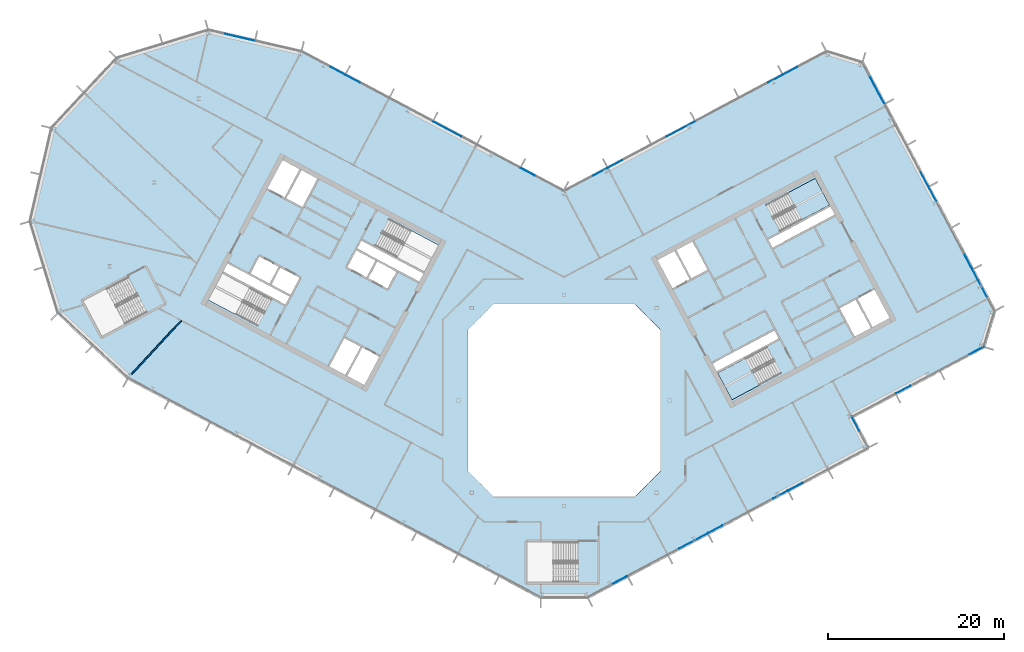
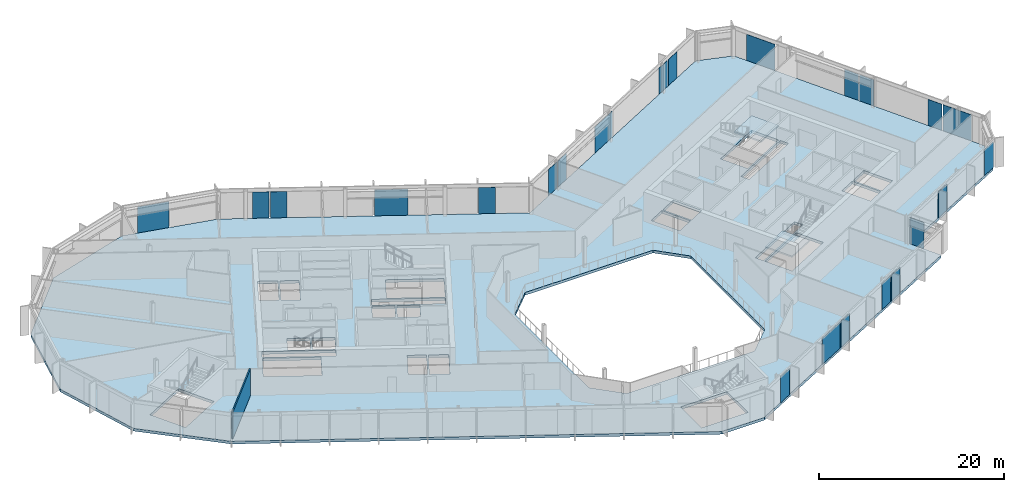
# One storey, part 12 of 27: 23 plates, 3 slabs, 1 wall, 9 elements without a shape of their own.
"""IFC4 building model written with IfcOpenShell, lengths in metres."""

from ifc_helpers import new_model, si_unit, direction, frame, frame_2d, origin, origin_2d, place, context, subcontext, project, spatial, polyline, rectangle, outline, extrude, material, layer, layer_set, type_object, element, aggregate, save


model = new_model("IFC4")

# Units and contexts
model_context = context("Model", 3, precision=1e-05, world=origin(), true_north=direction((0.0, 1.0)))
body_context = subcontext(model_context, "Body", "Model", "MODEL_VIEW")
ifc_project = project(units=[si_unit("LENGTHUNIT", "METRE"), si_unit("AREAUNIT", "SQUARE_METRE"), si_unit("VOLUMEUNIT", "CUBIC_METRE"), si_unit("PLANEANGLEUNIT", "RADIAN"), si_unit("MASSUNIT", "GRAM", prefix="KILO")], contexts=[model_context])

# Site, building, storey
site_placement = place(None, origin())
site = spatial("IfcSite", under=ifc_project, at=site_placement, CompositionType="ELEMENT")
building_placement = place(site_placement, origin())
building = spatial("IfcBuilding", under=site, at=building_placement, Name="Cormorant Relay Tower", CompositionType="ELEMENT")
storey_placement = place(building_placement, frame((0.0, 0.0, 201.300048828125)))
storey = spatial("IfcBuildingStorey", under=building, at=storey_placement, Name="L43", CompositionType="ELEMENT", Elevation=201.300048828125)

# Curtain wall, plates
ifc_material_1 = material(Name="Aluminium 6063-T6 anodised bronze", Category="aluminium")
ifc_layer_1 = layer(ifc_material_1, 0.199951171875)
ifc_layer_set_1 = layer_set([ifc_layer_1], Name="CW1 unitised bronze curtain wall with vertical fins")
curtain_wall_type = type_object("IfcCurtainWallType", Name="CW1 unitised bronze curtain wall with vertical fins", PredefinedType="NOTDEFINED", material=ifc_layer_set_1)
curtain_wall_1_placement = place(storey_placement, origin())
curtain_wall_1 = element("IfcCurtainWall", 1, at=curtain_wall_1_placement, inside=storey, type_object=curtain_wall_type, Name="CW1 curtain wall 2", PredefinedType="NOTDEFINED")
ifc_material_2 = material(Name="Tinted laminated glass", Category="glass")
ifc_layer_2 = layer(ifc_material_2, 0.0400390625)
ifc_layer_set_2 = layer_set([ifc_layer_2], Name="CW1 tinted vision panel 1800 module")
plate_type_1 = type_object("IfcPlateType", Name="CW1 tinted vision panel 1800 module", PredefinedType="CURTAIN_PANEL", material=ifc_layer_set_2)
plate_1_placement = place(storey_placement, frame((6.359130859375, -20.42529296875, 0.0), z_axis=(0.0, 0.0, 1.0), x_axis=(0.882947592859, 0.469471562786, 0.0)))
plate_1 = element("IfcPlate", 2, at=plate_1_placement, type_object=plate_type_1, Name="CW1 panel V01", PredefinedType="CURTAIN_PANEL", context=body_context, shape_type="SweptSolid", body=[
    extrude(rectangle(XDim=1.800048828125, YDim=0.0400390625, at=origin_2d()), origin(), (0.0, 0.0, 1.0), 3.449951171875),
])
plate_2_placement = place(storey_placement, frame((17.20458984375, -14.65869140625, 0.0), z_axis=(0.0, 0.0, 1.0), x_axis=(0.882947592859, 0.469471562786, 0.0)))
plate_2 = element("IfcPlate", 3, at=plate_2_placement, type_object=plate_type_1, Name="CW1 panel V04", PredefinedType="CURTAIN_PANEL", context=body_context, shape_type="SweptSolid", body=[
    extrude(rectangle(XDim=1.800048828125, YDim=0.0400390625, at=origin_2d()), origin(), (0.0, 0.0, 1.0), 3.449951171875),
])
plate_3_placement = place(storey_placement, frame((24.6064453125, -10.72314453125, 0.0), z_axis=(0.0, 0.0, 1.0), x_axis=(0.882947592859, 0.469471562786, 0.0)))
plate_3 = element("IfcPlate", 4, at=plate_3_placement, type_object=plate_type_1, Name="CW1 panel V06", PredefinedType="CURTAIN_PANEL", context=body_context, shape_type="SweptSolid", body=[
    extrude(rectangle(XDim=1.800048828125, YDim=0.0400390625, at=origin_2d()), origin(), (0.0, 0.0, 1.0), 3.449951171875),
])
plate_4_placement = place(storey_placement, frame((26.328125, -9.8076171875, 0.0), z_axis=(0.0, 0.0, 1.0), x_axis=(0.882947592859, 0.469471562786, 0.0)))
plate_4 = element("IfcPlate", 5, at=plate_4_placement, type_object=plate_type_1, Name="CW1 panel V07", PredefinedType="CURTAIN_PANEL", context=body_context, shape_type="SweptSolid", body=[
    extrude(rectangle(XDim=1.800048828125, YDim=0.0400390625, at=origin_2d()), origin(), (0.0, 0.0, 1.0), 3.449951171875),
])

# Curtain wall, plate
curtain_wall_2_placement = place(storey_placement, origin())
curtain_wall_2 = element("IfcCurtainWall", 6, at=curtain_wall_2_placement, inside=storey, type_object=curtain_wall_type, Name="CW1 curtain wall 3", PredefinedType="NOTDEFINED")
plate_5_placement = place(storey_placement, frame((33.143798828125, -2.650146484375, 0.0), z_axis=(0.0, 0.0, 1.0), x_axis=(-0.469471562786, 0.882947592859, 0.0)))
plate_5 = element("IfcPlate", 7, at=plate_5_placement, type_object=plate_type_1, Name="CW1 panel V01", PredefinedType="CURTAIN_PANEL", context=body_context, shape_type="SweptSolid", body=[
    extrude(rectangle(XDim=1.800048828125, YDim=0.0400390625, at=origin_2d()), origin(), (0.0, 0.0, 1.0), 3.449951171875),
])
aggregate(curtain_wall_2, [plate_5])

# Curtain wall, plates
curtain_wall_3_placement = place(storey_placement, origin())
curtain_wall_3 = element("IfcCurtainWall", 8, at=curtain_wall_3_placement, inside=storey, type_object=curtain_wall_type, Name="CW1 curtain wall 4", PredefinedType="NOTDEFINED")
plate_6_placement = place(storey_placement, frame((38.5771484375, 1.235595703125, 0.0), z_axis=(0.0, 0.0, 1.0), x_axis=(0.882947592859, 0.469471562786, 0.0)))
plate_6 = element("IfcPlate", 9, at=plate_6_placement, type_object=plate_type_1, Name="CW1 panel V01", PredefinedType="CURTAIN_PANEL", context=body_context, shape_type="SweptSolid", body=[
    extrude(rectangle(XDim=1.800048828125, YDim=0.0400390625, at=origin_2d()), origin(), (0.0, 0.0, 1.0), 3.449951171875),
])
plate_7_placement = place(storey_placement, frame((46.928466796875, 5.67578125, 0.0), z_axis=(0.0, 0.0, 1.0), x_axis=(0.882947592859, 0.469471562786, 0.0)))
plate_7 = element("IfcPlate", 10, at=plate_7_placement, type_object=plate_type_1, Name="CW1 panel V03", PredefinedType="CURTAIN_PANEL", context=body_context, shape_type="SweptSolid", body=[
    extrude(rectangle(XDim=1.800048828125, YDim=0.0400390625, at=origin_2d()), origin(), (0.0, 0.0, 1.0), 3.449951171875),
])
aggregate(curtain_wall_3, [plate_6, plate_7])

curtain_wall_4_placement = place(storey_placement, origin())
curtain_wall_4 = element("IfcCurtainWall", 11, at=curtain_wall_4_placement, inside=storey, type_object=curtain_wall_type, Name="CW1 curtain wall 6", PredefinedType="NOTDEFINED")
plate_8_placement = place(storey_placement, frame((46.01025390625, 15.752685546875, 0.0), z_axis=(0.0, 0.0, 1.0), x_axis=(-0.469471562786, 0.882947592859, 0.0)))
plate_8 = element("IfcPlate", 12, at=plate_8_placement, type_object=plate_type_1, Name="CW1 panel V02", PredefinedType="CURTAIN_PANEL", context=body_context, shape_type="SweptSolid", body=[
    extrude(rectangle(XDim=1.800048828125, YDim=0.0400390625, at=origin_2d()), origin(), (0.0, 0.0, 1.0), 3.449951171875),
])
plate_9_placement = place(storey_placement, frame((41.91796875, 23.448974609375, 0.0), z_axis=(0.0, 0.0, 1.0), x_axis=(-0.469471562786, 0.882947592859, 0.0)))
plate_9 = element("IfcPlate", 13, at=plate_9_placement, type_object=plate_type_1, Name="CW1 panel V04", PredefinedType="CURTAIN_PANEL", context=body_context, shape_type="SweptSolid", body=[
    extrude(rectangle(XDim=1.800048828125, YDim=0.0400390625, at=origin_2d()), origin(), (0.0, 0.0, 1.0), 3.449951171875),
])
plate_10_placement = place(storey_placement, frame((41.00244140625, 25.1708984375, 0.0), z_axis=(0.0, 0.0, 1.0), x_axis=(-0.469471562786, 0.882947592859, 0.0)))
plate_10 = element("IfcPlate", 14, at=plate_10_placement, type_object=plate_type_1, Name="CW1 panel V05", PredefinedType="CURTAIN_PANEL", context=body_context, shape_type="SweptSolid", body=[
    extrude(rectangle(XDim=1.800048828125, YDim=0.0400390625, at=origin_2d()), origin(), (0.0, 0.0, 1.0), 3.449951171875),
])

curtain_wall_5_placement = place(storey_placement, origin())
curtain_wall_5 = element("IfcCurtainWall", 15, at=curtain_wall_5_placement, inside=storey, type_object=curtain_wall_type, Name="CW1 curtain wall 8", PredefinedType="NOTDEFINED")
plate_11_placement = place(storey_placement, frame((25.746337890625, 37.49609375, 0.0), z_axis=(0.0, 0.0, 1.0), x_axis=(-0.882947592859, -0.469471562786, 0.0)))
plate_11 = element("IfcPlate", 16, at=plate_11_placement, type_object=plate_type_1, Name="CW1 panel V01", PredefinedType="CURTAIN_PANEL", context=body_context, shape_type="SweptSolid", body=[
    extrude(rectangle(XDim=1.800048828125, YDim=0.0400390625, at=origin_2d()), origin(), (0.0, 0.0, 1.0), 3.449951171875),
])
plate_12_placement = place(storey_placement, frame((24.0244140625, 36.580810546875, 0.0), z_axis=(0.0, 0.0, 1.0), x_axis=(-0.882947592859, -0.469471562786, 0.0)))
plate_12 = element("IfcPlate", 17, at=plate_12_placement, type_object=plate_type_1, Name="CW1 panel V02", PredefinedType="CURTAIN_PANEL", context=body_context, shape_type="SweptSolid", body=[
    extrude(rectangle(XDim=1.800048828125, YDim=0.0400390625, at=origin_2d()), origin(), (0.0, 0.0, 1.0), 3.449951171875),
])
plate_13_placement = place(storey_placement, frame((5.830322265625, 26.90673828125, 0.0), z_axis=(0.0, 0.0, 1.0), x_axis=(-0.882947592859, -0.469471562786, 0.0)))
plate_13 = element("IfcPlate", 18, at=plate_13_placement, type_object=plate_type_1, Name="CW1 panel V06", PredefinedType="CURTAIN_PANEL", context=body_context, shape_type="SweptSolid", body=[
    extrude(rectangle(XDim=1.800048828125, YDim=0.0400390625, at=origin_2d()), origin(), (0.0, 0.0, 1.0), 3.449951171875),
])
plate_14_placement = place(storey_placement, frame((4.108642578125, 25.9912109375, 0.0), z_axis=(0.0, 0.0, 1.0), x_axis=(-0.882947592859, -0.469471562786, 0.0)))
plate_14 = element("IfcPlate", 19, at=plate_14_placement, type_object=plate_type_1, Name="CW1 panel V07", PredefinedType="CURTAIN_PANEL", context=body_context, shape_type="SweptSolid", body=[
    extrude(rectangle(XDim=1.800048828125, YDim=0.0400390625, at=origin_2d()), origin(), (0.0, 0.0, 1.0), 3.449951171875),
])

curtain_wall_6_placement = place(storey_placement, origin())
curtain_wall_6 = element("IfcCurtainWall", 20, at=curtain_wall_6_placement, inside=storey, type_object=curtain_wall_type, Name="CW1 curtain wall 9", PredefinedType="NOTDEFINED")
plate_15_placement = place(storey_placement, frame((-4.108642578125, 25.9912109375, 0.0), z_axis=(0.0, 0.0, 1.0), x_axis=(-0.882947592859, 0.469471562786, 0.0)))
plate_15 = element("IfcPlate", 21, at=plate_15_placement, type_object=plate_type_1, Name="CW1 panel V01", PredefinedType="CURTAIN_PANEL", context=body_context, shape_type="SweptSolid", body=[
    extrude(rectangle(XDim=1.800048828125, YDim=0.0400390625, at=origin_2d()), origin(), (0.0, 0.0, 1.0), 3.449951171875),
])
plate_16_placement = place(storey_placement, frame((-24.0244140625, 36.580810546875, 0.0), z_axis=(0.0, 0.0, 1.0), x_axis=(-0.882947592859, 0.469471562786, 0.0)))
plate_16 = element("IfcPlate", 22, at=plate_16_placement, type_object=plate_type_1, Name="CW1 panel V05", PredefinedType="CURTAIN_PANEL", context=body_context, shape_type="SweptSolid", body=[
    extrude(rectangle(XDim=1.800048828125, YDim=0.0400390625, at=origin_2d()), origin(), (0.0, 0.0, 1.0), 3.449951171875),
])
plate_17_placement = place(storey_placement, frame((-25.746337890625, 37.49609375, 0.0), z_axis=(0.0, 0.0, 1.0), x_axis=(-0.882947592859, 0.469471562786, 0.0)))
plate_17 = element("IfcPlate", 23, at=plate_17_placement, type_object=plate_type_1, Name="CW1 panel V06", PredefinedType="CURTAIN_PANEL", context=body_context, shape_type="SweptSolid", body=[
    extrude(rectangle(XDim=1.800048828125, YDim=0.0400390625, at=origin_2d()), origin(), (0.0, 0.0, 1.0), 3.449951171875),
])

# Plate
ifc_material_3 = material(Name="Tinted laminated glass", Category="glass")
ifc_layer_3 = layer(ifc_material_3, 0.0400390625)
ifc_layer_set_3 = layer_set([ifc_layer_3], Name="CW1 tinted vision panel 3600 module")
plate_type_2 = type_object("IfcPlateType", Name="CW1 tinted vision panel 3600 module", PredefinedType="CURTAIN_PANEL", material=ifc_layer_set_3)
plate_18_placement = place(storey_placement, frame((14.68798828125, -15.996826171875, 0.0), z_axis=(0.0, 0.0, 1.0), x_axis=(0.882947592859, 0.469471562786, 0.0)))
plate_18 = element("IfcPlate", 24, at=plate_18_placement, type_object=plate_type_2, Name="CW1 panel V03", PredefinedType="CURTAIN_PANEL", context=body_context, shape_type="SweptSolid", body=[
    extrude(rectangle(XDim=3.60009765625, YDim=0.0400390625, at=origin_2d()), origin(), (0.0, 0.0, 1.0), 3.449951171875),
])

aggregate(curtain_wall_1, [plate_1, plate_18, plate_2, plate_3, plate_4])

plate_19_placement = place(storey_placement, frame((47.34814453125, 13.236328125, 0.0), z_axis=(0.0, 0.0, 1.0), x_axis=(-0.469471562786, 0.882947592859, 0.0)))
plate_19 = element("IfcPlate", 25, at=plate_19_placement, type_object=plate_type_2, Name="CW1 panel V01", PredefinedType="CURTAIN_PANEL", context=body_context, shape_type="SweptSolid", body=[
    extrude(rectangle(XDim=3.60009765625, YDim=0.0400390625, at=origin_2d()), origin(), (0.0, 0.0, 1.0), 3.449951171875),
])

plate_20_placement = place(storey_placement, frame((35.572265625, 35.383544921875, 0.0), z_axis=(0.0, 0.0, 1.0), x_axis=(-0.469471562786, 0.882947592859, 0.0)))
plate_20 = element("IfcPlate", 26, at=plate_20_placement, type_object=plate_type_2, Name="CW1 panel V07", PredefinedType="CURTAIN_PANEL", context=body_context, shape_type="SweptSolid", body=[
    extrude(rectangle(XDim=3.60009765625, YDim=0.0400390625, at=origin_2d()), origin(), (0.0, 0.0, 1.0), 3.449951171875),
])

aggregate(curtain_wall_4, [plate_19, plate_8, plate_9, plate_10, plate_20])

plate_21_placement = place(storey_placement, frame((13.27197265625, 30.86328125, 0.0), z_axis=(0.0, 0.0, 1.0), x_axis=(-0.882947592859, -0.469471562786, 0.0)))
plate_21 = element("IfcPlate", 27, at=plate_21_placement, type_object=plate_type_2, Name="CW1 panel V04", PredefinedType="CURTAIN_PANEL", context=body_context, shape_type="SweptSolid", body=[
    extrude(rectangle(XDim=3.60009765625, YDim=0.0400390625, at=origin_2d()), origin(), (0.0, 0.0, 1.0), 3.449951171875),
])

aggregate(curtain_wall_5, [plate_11, plate_12, plate_21, plate_13, plate_14])

plate_22_placement = place(storey_placement, frame((-13.27197265625, 30.86328125, 0.0), z_axis=(0.0, 0.0, 1.0), x_axis=(-0.882947592859, 0.469471562786, 0.0)))
plate_22 = element("IfcPlate", 28, at=plate_22_placement, type_object=plate_type_2, Name="CW1 panel V03", PredefinedType="CURTAIN_PANEL", context=body_context, shape_type="SweptSolid", body=[
    extrude(rectangle(XDim=3.60009765625, YDim=0.0400390625, at=origin_2d()), origin(), (0.0, 0.0, 1.0), 3.449951171875),
])

aggregate(curtain_wall_6, [plate_15, plate_22, plate_16, plate_17])

# Curtain wall, plate
curtain_wall_7_placement = place(storey_placement, origin())
curtain_wall_7 = element("IfcCurtainWall", 29, at=curtain_wall_7_placement, inside=storey, type_object=curtain_wall_type, Name="CW1 curtain wall 10", PredefinedType="NOTDEFINED")
plate_23_placement = place(storey_placement, frame((-36.9921875, 41.33203125, 0.0), z_axis=(0.0, 0.0, 1.0), x_axis=(-0.974370064785, 0.224951054344, 0.0)))
plate_23 = element("IfcPlate", 30, at=plate_23_placement, type_object=plate_type_2, Name="CW1 panel V01", PredefinedType="CURTAIN_PANEL", context=body_context, shape_type="SweptSolid", body=[
    extrude(rectangle(XDim=3.60009765625, YDim=0.0400390625, at=origin_2d()), origin(), (0.0, 0.0, 1.0), 3.449951171875),
])
aggregate(curtain_wall_7, [plate_23])

# Stair, slab
ifc_material_4 = material(Name="Concrete 40 MPa", Category="concrete")
stair_type = type_object("IfcStairType", Name="Exit stair 1500", PredefinedType="HALF_TURN_STAIR", material=ifc_material_4)
stair_1_placement = place(storey_placement, origin())
stair_1 = element("IfcStair", 31, at=stair_1_placement, inside=storey, type_object=stair_type, Name="L43 Stair", PredefinedType="HALF_TURN_STAIR")
ifc_material_5 = material(Name="Concrete 40 MPa", Category="concrete")
ifc_layer_4 = layer(ifc_material_5, 0.199951171875)
ifc_layer_set_4 = layer_set([ifc_layer_4], Name="Exit stair landing 200")
slab_type_1 = type_object("IfcSlabType", Name="Exit stair landing 200", PredefinedType="LANDING", material=ifc_layer_set_4)
slab_1_placement = place(storey_placement, frame((0.0, 0.0, 1.75)))
slab_1 = element("IfcSlab", 32, at=slab_1_placement, type_object=slab_type_1, Name="B1 landing 1", PredefinedType="LANDING", context=body_context, shape_type="SweptSolid", body=[
    extrude(outline(polyline([(20.614990234375, 4.78857421875), (17.48046875, 3.1220703125), (19.10009765625, 0.075927734375), (22.234619140625, 1.742431640625), (20.614990234375, 4.78857421875)])), origin(), (0.0, 0.0, 1.0), 0.199951171875),
])
aggregate(stair_1, [slab_1])

stair_2_placement = place(storey_placement, origin())
stair_2 = element("IfcStair", 33, at=stair_2_placement, inside=storey, type_object=stair_type, Name="L43 Stair", PredefinedType="HALF_TURN_STAIR")
slab_2_placement = place(storey_placement, frame((0.0, 0.0, 1.75)))
slab_2 = element("IfcSlab", 34, at=slab_2_placement, type_object=slab_type_1, Name="B2 landing 1", PredefinedType="LANDING", context=body_context, shape_type="SweptSolid", body=[
    extrude(outline(polyline([(27.064208984375, 20.562744140625), (30.19873046875, 22.2294921875), (28.5791015625, 25.275634765625), (25.444580078125, 23.60888671875), (27.064208984375, 20.562744140625)])), origin(), (0.0, 0.0, 1.0), 0.199951171875),
])
aggregate(stair_2, [slab_2])

# Slab
ifc_material_6 = material(Name="Concrete 40 MPa", Category="concrete")
ifc_layer_5 = layer(ifc_material_6, 0.360107421875)
ifc_layer_set_5 = layer_set([ifc_layer_5], Name="Flat plate 360")
slab_type_2 = type_object("IfcSlabType", Name="Flat plate 360", PredefinedType="FLOOR", material=ifc_layer_set_5)
slab_3_placement = place(storey_placement, frame((0.0, 0.0, -0.360107421875)))
element("IfcSlab", 35, at=slab_3_placement, inside=storey, type_object=slab_type_2, Name="Floor slab L43", PredefinedType="FLOOR", context=body_context, shape_type="SweptSolid", body=[
    extrude(outline(polyline([(-60.7197265625, 20.393310546875), (-58.2744140625, 30.985107421875), (-50.86083984375, 38.935302734375), (-40.465576171875, 42.11328125), (-29.873779296875, 39.668212890625), (0.0, 23.783935546875), (29.873779296875, 39.668212890625), (33.930908203125, 38.427734375), (48.9541015625, 10.17333984375), (47.713623046875, 6.1162109375), (32.70361328125, -1.864990234375), (34.581298828125, -5.396728515625), (2.648681640625, -22.37548828125), (-2.648681640625, -22.37548828125), (-49.591552734375, 2.584228515625), (-57.541748046875, 9.997802734375), (-60.7197265625, 20.393310546875)]), holes=[polyline([(11.0, -8.0), (11.0, 8.0), (8.0, 11.0), (-8.0, 11.0), (-11.0, 8.0), (-11.0, -8.0), (-8.0, -11.0), (8.0, -11.0), (11.0, -8.0)]), polyline([(-22.95458984375, 6.03271484375), (-24.668212890625, 2.81005859375), (-22.725830078125, 1.777099609375), (-21.01220703125, 5.0), (-23.04296875, 6.07958984375), (-22.95458984375, 6.03271484375)]), polyline([(-24.985595703125, 7.112548828125), (-26.69921875, 3.889892578125), (-24.844970703125, 2.90380859375), (-23.13134765625, 6.126708984375), (-23.04296875, 6.07958984375), (-24.985595703125, 7.112548828125)]), polyline([(-54.69970703125, 11.330810546875), (-52.563720703125, 7.3134765625), (-47.442626953125, 10.036376953125), (-49.57861328125, 14.0537109375), (-54.69970703125, 11.330810546875)]), polyline([(-33.240966796875, 11.502197265625), (-38.847900390625, 14.483154296875), (-40.46728515625, 11.43701171875), (-34.860595703125, 8.455810546875), (-33.240966796875, 11.502197265625)]), polyline([(-38.260986328125, 15.5869140625), (-38.75390625, 14.659912109375), (-31.690185546875, 10.904052734375), (-31.197265625, 11.8310546875), (-38.260986328125, 15.5869140625)]), polyline([(-31.103515625, 12.0078125), (-30.070556640625, 13.9501953125), (-32.278076171875, 15.123779296875), (-33.310791015625, 13.181396484375), (-31.103515625, 12.0078125)]), polyline([(-19.048095703125, 14.658203125), (-21.25537109375, 15.831787109375), (-22.2880859375, 13.889404296875), (-20.080810546875, 12.7158203125), (-19.048095703125, 14.658203125)]), polyline([(-34.661865234375, 16.3916015625), (-35.69482421875, 14.448974609375), (-33.4873046875, 13.275390625), (-32.45458984375, 15.2177734375), (-34.661865234375, 16.3916015625)]), polyline([(-23.639404296875, 17.099609375), (-24.672119140625, 15.156982421875), (-22.46484375, 13.9833984375), (-21.431884765625, 15.92578125), (-23.639404296875, 17.099609375)]), polyline([(-31.611572265625, 22.980712890625), (-29.75732421875, 21.99462890625), (-28.043701171875, 25.217529296875), (-29.89794921875, 26.203369140625), (-31.611572265625, 22.980712890625)]), polyline([(-32.01708984375, 27.330078125), (-33.73046875, 24.107421875), (-31.7880859375, 23.074462890625), (-30.074462890625, 26.29736328125), (-32.01708984375, 27.330078125)]), polyline([(-4.199951171875, -16.125), (-4.199951171875, -20.675048828125), (1.60009765625, -20.675048828125), (1.60009765625, -16.125), (-4.199951171875, -16.125)]), polyline([(17.48046875, 3.1220703125), (19.10009765625, 0.07568359375), (24.706787109375, 3.056884765625), (23.087158203125, 6.10302734375), (17.48046875, 3.1220703125)]), polyline([(17.386474609375, 3.298583984375), (24.4501953125, 7.054443359375), (23.957275390625, 7.9814453125), (16.8935546875, 4.2255859375), (17.386474609375, 3.298583984375)]), polyline([(33.197021484375, 11.478515625), (31.3427734375, 10.49267578125), (33.056396484375, 7.27001953125), (34.910400390625, 8.255859375), (33.197021484375, 11.478515625)]), polyline([(33.37353515625, 11.572509765625), (35.087158203125, 8.349609375), (37.029541015625, 9.382568359375), (35.31591796875, 12.605224609375), (33.37353515625, 11.572509765625)]), polyline([(14.3056640625, 13.779052734375), (12.592041015625, 17.001708984375), (10.649658203125, 15.968994140625), (12.36328125, 12.74609375), (14.39404296875, 13.825927734375), (14.3056640625, 13.779052734375)]), polyline([(16.33642578125, 14.85888671875), (14.622802734375, 18.08154296875), (12.768798828125, 17.095703125), (14.482421875, 13.872802734375), (14.39404296875, 13.825927734375), (16.33642578125, 14.85888671875)]), polyline([(-16.481689453125, 13.520263671875), (-15.989013671875, 14.447509765625), (-23.052490234375, 18.203125), (-23.54541015625, 17.276123046875), (-16.481689453125, 13.520263671875)]), polyline([(-15.89501953125, 14.6240234375), (-14.275390625, 17.670166015625), (-19.882080078125, 20.6513671875), (-21.501708984375, 17.605224609375), (-15.89501953125, 14.6240234375)]), polyline([(30.78564453125, 21.125732421875), (30.29248046875, 22.052978515625), (23.22900390625, 18.297119140625), (23.721923828125, 17.3701171875), (30.78564453125, 21.125732421875)]), polyline([(24.592041015625, 19.248291015625), (30.19873046875, 22.2294921875), (28.5791015625, 25.275634765625), (22.972412109375, 22.29443359375), (24.592041015625, 19.248291015625)])]), origin(), (0.0, 0.0, 1.0), 0.360107421875),
])

# Wall
ifc_material_7 = material(Name="Gypsum board partition")
ifc_layer_6 = layer(ifc_material_7, 0.14990234375)
ifc_layer_set_6 = layer_set([ifc_layer_6], Name="Tenant partition 150")
wall_type = type_object("IfcWallType", Name="Tenant partition 150", PredefinedType="PARTITIONING", material=ifc_layer_set_6)
wall_placement = place(storey_placement, frame((-43.51904296875, 9.095947265625, 0.0), z_axis=(0.0, 0.0, 1.0), x_axis=(-0.681976527411, -0.731374060287, 0.0)))
element("IfcWall", 36, at=wall_placement, inside=storey, type_object=wall_type, Name="wall/L43/part/009", PredefinedType="PARTITIONING", context=body_context, shape_type="SweptSolid", body=[
    extrude(rectangle(XDim=8.402099609375, YDim=0.14990234375, at=frame_2d((4.201171875, 0.0))), origin(), (0.0, 0.0, 1.0), 3.5400390625),
])

save(model, "model.ifc")
